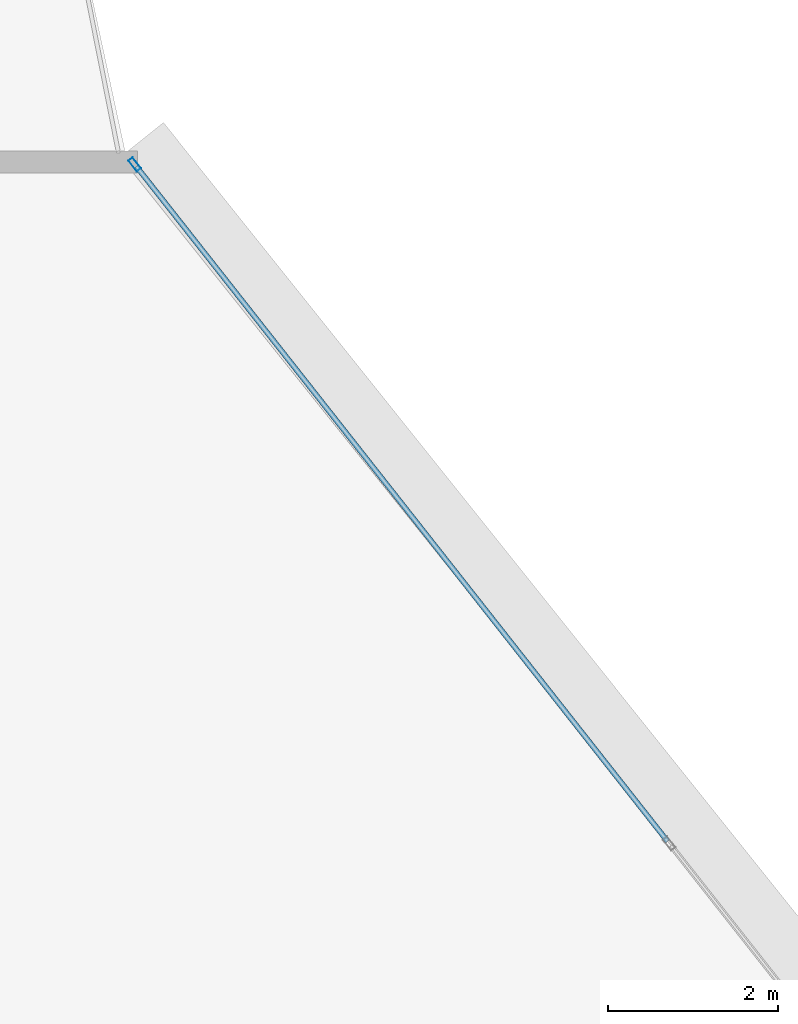
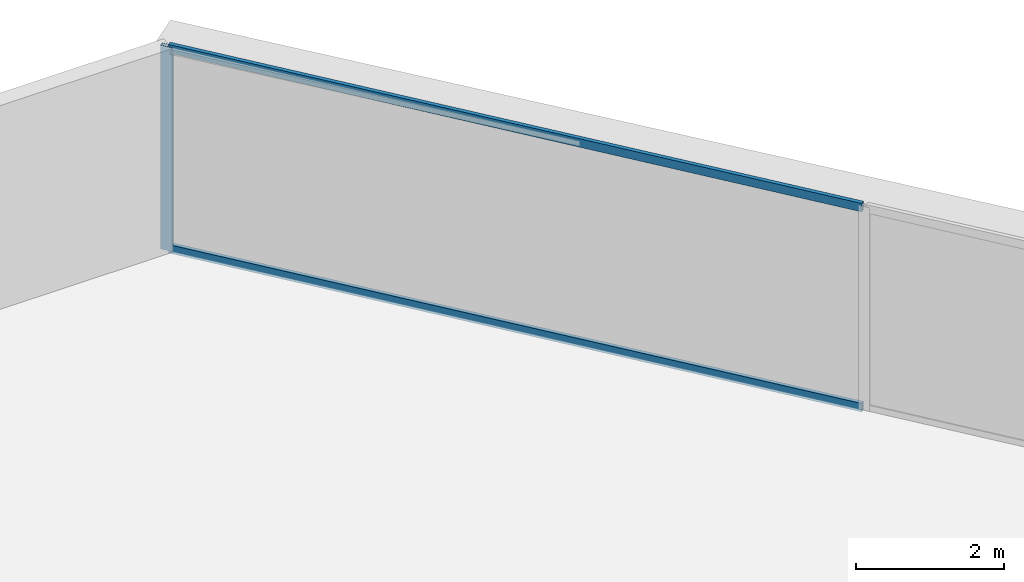
# One storey, part 27 of 38: 3 members, 1 element without a shape of its own.
"""IFC4 building model written with IfcOpenShell, lengths in metres."""

from ifc_helpers import new_model, si_unit, direction, frame, origin, origin_2d, place, context, subcontext, project, spatial, hollow_rectangle, extrude, source, transform, mapped, material, layer, layer_set, material_profile, profile_set, type_object, element, aggregate, save


model = new_model("IFC4")

# Units and contexts
model_context = context("Model", 3, precision=1e-05, world=origin(), true_north=direction((0.0, 1.0)))
body_context = subcontext(model_context, "Body", "Model", "MODEL_VIEW")
ifc_project = project(units=[si_unit("LENGTHUNIT", "METRE"), si_unit("AREAUNIT", "SQUARE_METRE"), si_unit("VOLUMEUNIT", "CUBIC_METRE"), si_unit("PLANEANGLEUNIT", "RADIAN"), si_unit("MASSUNIT", "GRAM", prefix="KILO"), si_unit("THERMODYNAMICTEMPERATUREUNIT", "KELVIN"), si_unit("POWERUNIT", "WATT")], contexts=[model_context])

# Site, building, storey
site_placement = place(None, origin())
site = spatial("IfcSite", under=ifc_project, at=site_placement, CompositionType="ELEMENT")
building_placement = place(site_placement, origin())
building = spatial("IfcBuilding", under=site, at=building_placement, Name="Yunzhuo Pagoda Commons", CompositionType="ELEMENT")
storey_placement = place(building_placement, frame((0.0, 0.0, 30.39990234375)))
storey = spatial("IfcBuildingStorey", under=building, at=storey_placement, Name="L07", CompositionType="ELEMENT", Elevation=30.39990234375)

# Curtain wall, members
ifc_material = material(Name="Anodized aluminium 6063-T6", Category="aluminium")
ifc_layer = layer(ifc_material, 0.1650390625)
ifc_layer_set = layer_set([ifc_layer], Name="Anodized aluminium 6063-T6")
curtain_wall_type = type_object("IfcCurtainWallType", Name="CW-LOW Low-Zone Ribbon Curtain Wall", PredefinedType="NOTDEFINED", material=ifc_layer_set)
curtain_wall_placement = place(storey_placement, origin())
curtain_wall = element("IfcCurtainWall", 1, at=curtain_wall_placement, inside=storey, type_object=curtain_wall_type, Name="L07 curtain wall CW-L07-F2B5", PredefinedType="NOTDEFINED")
ifc_material_profile_1 = material_profile(ifc_material, hollow_rectangle(XDim=0.06494140625, YDim=0.1650390625, WallThickness=0.00390625, at=origin_2d()), Name="Anodized aluminium 6063-T6")
ifc_profile_set_1 = profile_set([ifc_material_profile_1], Name="Anodized aluminium 6063-T6")
member_type_1 = type_object("IfcMemberType", Name="CW-LOW-M Mullion RHS 165x65x4", PredefinedType="MULLION", material=ifc_profile_set_1)
shared_shape_1 = source(origin(), body_context, "Body", "SweptSolid", [
    extrude(hollow_rectangle(XDim=0.06494140625, YDim=0.1650390625, WallThickness=0.00390625, at=origin_2d()), origin(), (0.0, 0.0, 1.0), 3.370361328125),
])
member_1_placement = place(storey_placement, frame((52.77880859375, 88.955322265625, 0.0), z_axis=(0.0, 0.0, 1.0), x_axis=(-0.785799632369, -0.618481153932, 0.0)))
member_1 = element("IfcMember", 2, at=member_1_placement, type_object=member_type_1, Name="CW mullion 3", PredefinedType="MULLION", context=body_context, shape_type="MappedRepresentation", body=[
    mapped(shared_shape_1, transform((0.0, 0.0, 0.0), scale=1.0)),
])
ifc_material_profile_2 = material_profile(ifc_material, hollow_rectangle(XDim=0.06005859375, YDim=0.139892578125, WallThickness=0.00341796875, at=origin_2d()), Name="Anodized aluminium 6063-T6")
ifc_profile_set_2 = profile_set([ifc_material_profile_2], Name="Anodized aluminium 6063-T6")
member_type_2 = type_object("IfcMemberType", Name="CW-LOW-T Transom RHS 140x60x3.5", PredefinedType="USERDEFINED", material=ifc_profile_set_2)
shared_shape_2 = source(origin(), body_context, "Body", "SweptSolid", [
    extrude(hollow_rectangle(XDim=0.06005859375, YDim=0.139892578125, WallThickness=0.00341796875, at=origin_2d()), origin(), (0.0, 0.0, 1.0), 10.11669921875),
])
member_2_placement = place(storey_placement, frame((59.0556640625, 80.980224609375, 0.030029296875), z_axis=(-0.618471475788, 0.785807249672, 0.0), x_axis=(-0.785807249672, -0.618471475788, 0.0)))
member_2 = element("IfcMember", 3, at=member_2_placement, type_object=member_type_2, Name="CW transom 2.1", ObjectType="TRANSOM", PredefinedType="USERDEFINED", context=body_context, shape_type="MappedRepresentation", body=[
    mapped(shared_shape_2, transform((0.0, 0.0, 0.0), scale=1.0)),
])
member_3_placement = place(storey_placement, frame((59.0556640625, 80.980224609375, 3.340087890625), z_axis=(-0.618471475788, 0.785807249672, 0.0), x_axis=(-0.785807249672, -0.618471475788, 0.0)))
member_3 = element("IfcMember", 4, at=member_3_placement, type_object=member_type_2, Name="CW transom 2.2", ObjectType="TRANSOM", PredefinedType="USERDEFINED", context=body_context, shape_type="MappedRepresentation", body=[
    mapped(shared_shape_2, transform((0.0, 0.0, 0.0), scale=1.0)),
])
aggregate(curtain_wall, [member_1, member_2, member_3])

save(model, "model.ifc")
